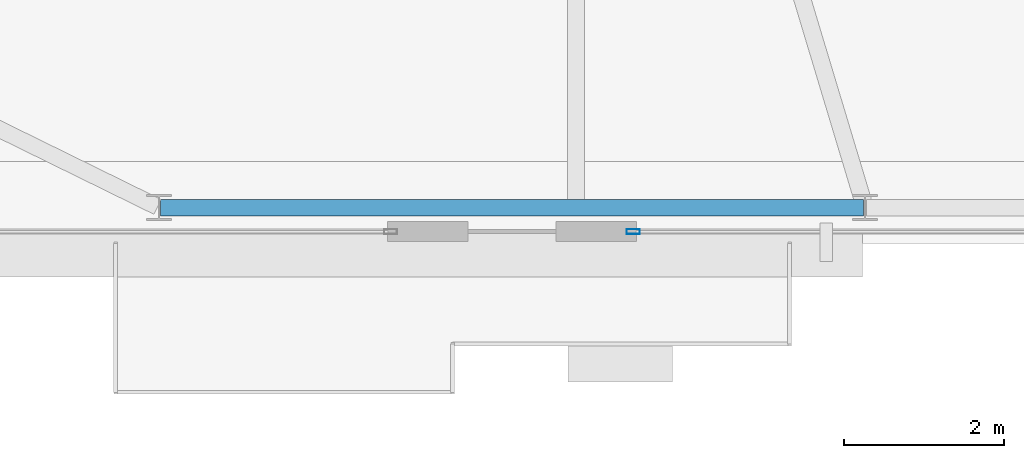
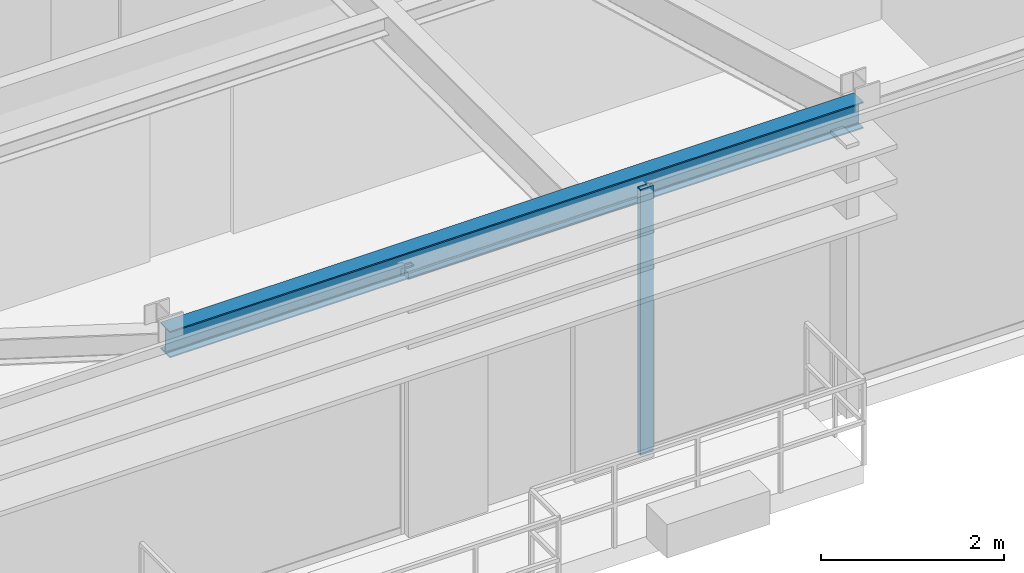
# One storey, part 5 of 23: 1 beam, 1 member, 1 element without a shape of its own.
"""IFC4 building model written with IfcOpenShell, lengths in metres."""

from ifc_helpers import new_model, si_unit, direction, frame, origin, origin_2d, place, context, subcontext, project, spatial, hollow_rectangle, i_section, extrude, source, transform, mapped, material, layer, layer_set, material_profile, profile_set, type_object, type_shapes, element, aggregate, save


model = new_model("IFC4")

# Units and contexts
model_context = context("Model", 3, precision=1e-05, world=origin(), true_north=direction((0.0, 1.0)))
body_context = subcontext(model_context, "Body", "Model", "MODEL_VIEW")
ifc_project = project(units=[si_unit("LENGTHUNIT", "METRE"), si_unit("AREAUNIT", "SQUARE_METRE"), si_unit("VOLUMEUNIT", "CUBIC_METRE"), si_unit("PLANEANGLEUNIT", "RADIAN"), si_unit("MASSUNIT", "GRAM", prefix="KILO")], contexts=[model_context])

# Site, building, storey
site_placement = place(None, origin())
site = spatial("IfcSite", under=ifc_project, at=site_placement, CompositionType="ELEMENT")
building_placement = place(site_placement, origin())
building = spatial("IfcBuilding", under=site, at=building_placement, Name="Varnel Quay Broadcast Tower", CompositionType="ELEMENT")
storey_placement = place(building_placement, frame((0.0, 0.0, 266.0)))
storey = spatial("IfcBuildingStorey", under=building, at=storey_placement, Name="L66", CompositionType="ELEMENT", Elevation=266.0)

# Beam
ifc_material_1 = material(Name="Structural Steel CSA G40.21 350W", Category="steel")
ifc_material_profile_1 = material_profile(ifc_material_1, i_section(OverallWidth=0.205078125, OverallDepth=0.35400390625, WebThickness=0.009521484375, FlangeThickness=0.016845703125, FilletRadius=0.012939453125, at=origin_2d()), Name="W360X79")
ifc_profile_set_1 = profile_set([ifc_material_profile_1], Name="Structural Steel CSA G40.21 350W")
beam_type = type_object("IfcBeamType", Name="Beam_W360X79", PredefinedType="SPANDREL", material=ifc_profile_set_1)
shared_shape_1 = source(origin(), body_context, "Body", "SweptSolid", [
    extrude(i_section(OverallWidth=0.205078125, OverallDepth=0.35400390625, WebThickness=0.009521484375, FlangeThickness=0.016845703125, FilletRadius=0.012939453125, at=origin_2d()), origin(), (0.0, 0.0, 1.0), 8.760009765625),
])
type_shapes(beam_type, [shared_shape_1])
beam_placement = place(storey_placement, frame((20.820068359375, 13.64990234375, 3.373046875), z_axis=(1.0, 0.0, 0.0), x_axis=(0.0, 1.0, 0.0)))
element("IfcBeam", 1, at=beam_placement, inside=storey, type_object=beam_type, Name="L66 South Spandrel TC-S1-TC-S2", PredefinedType="SPANDREL", context=body_context, shape_type="MappedRepresentation", body=[
    mapped(shared_shape_1, transform((0.0, 0.0, 0.0), x_axis=(1.0, 0.0, 0.0), y_axis=(0.0, 1.0, 0.0), z_axis=(0.0, 0.0, 1.0), scale=1.0)),
])

# Curtain wall, member
ifc_material_2 = material(Name="Anodised Bronze Aluminium 6063-T6", Category="aluminium")
ifc_layer = layer(ifc_material_2, 0.18994140625, Name="Anodised Bronze Aluminium 6063-T6")
ifc_layer_set = layer_set([ifc_layer], Name="Anodised Bronze Aluminium 6063-T6")
curtain_wall_type = type_object("IfcCurtainWallType", Name="CW_UpperTower", PredefinedType="NOTDEFINED", material=ifc_layer_set)
curtain_wall_placement = place(storey_placement, origin())
curtain_wall = element("IfcCurtainWall", 2, at=curtain_wall_placement, inside=storey, type_object=curtain_wall_type, Name="L66 South Unitised Curtain Wall 2", PredefinedType="NOTDEFINED")
ifc_material_profile_2 = material_profile(ifc_material_2, hollow_rectangle(XDim=0.06494140625, YDim=0.1650390625, WallThickness=0.00341796875, at=origin_2d()), Name="ALU65X165X3.5")
ifc_profile_set_2 = profile_set([ifc_material_profile_2], Name="Anodised Bronze Aluminium 6063-T6")
member_type = type_object("IfcMemberType", Name="Mull_CWS-03", PredefinedType="MULLION", material=ifc_profile_set_2)
shared_shape_2 = source(origin(), body_context, "Body", "SweptSolid", [
    extrude(hollow_rectangle(XDim=0.06494140625, YDim=0.1650390625, WallThickness=0.00341796875, at=origin_2d()), origin(), (0.0, 0.0, 1.0), 3.550048828125),
])
type_shapes(member_type, [shared_shape_2])
member_placement = place(storey_placement, frame((26.71240234375, 13.35009765625, 0.0), z_axis=(0.0, 0.0, 1.0), x_axis=(0.0, 1.0, 0.0)))
member = element("IfcMember", 3, at=member_placement, type_object=member_type, Name="CWS-03 mullion 1", PredefinedType="MULLION", context=body_context, shape_type="MappedRepresentation", body=[
    mapped(shared_shape_2, transform((0.0, 0.0, 0.0), x_axis=(1.0, 0.0, 0.0), y_axis=(0.0, 1.0, 0.0), z_axis=(0.0, 0.0, 1.0), scale=1.0)),
])
aggregate(curtain_wall, [member])

save(model, "model.ifc")
